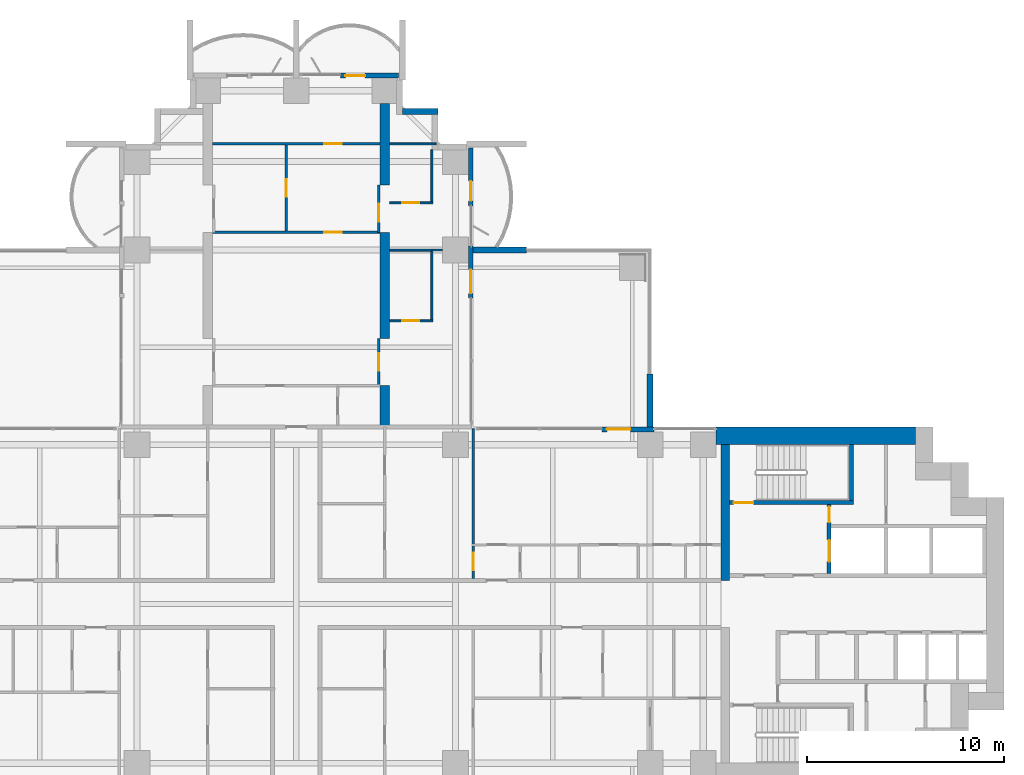
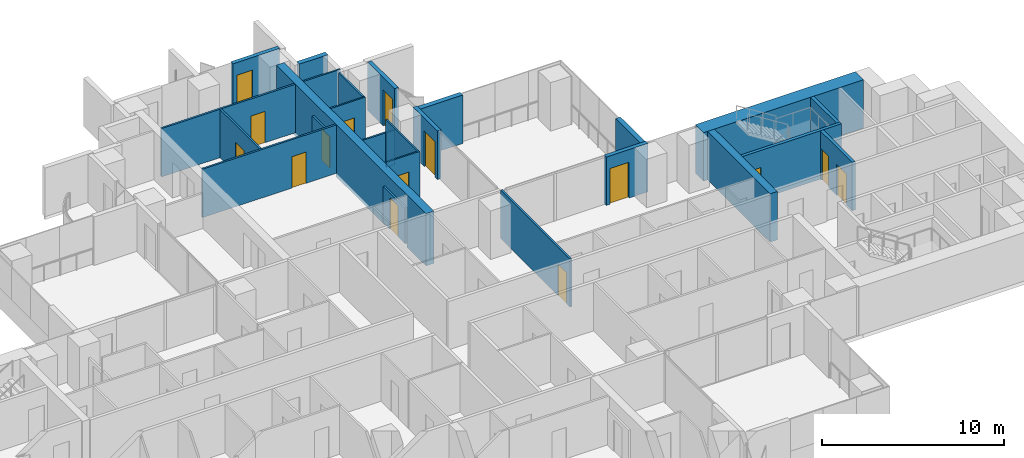
# One storey, part 15 of 21: 26 walls, 15 doors, 15 openings.
"""IFC4 building model written with IfcOpenShell, lengths in metres."""

from ifc_helpers import new_model, si_unit, direction, frame, frame_2d, origin, place, context, subcontext, project, spatial, polyline, rectangle, outline, extrude, material, layer, layer_set, material_profile, profile_set, type_object, element, fill, save


model = new_model("IFC4")

# Units and contexts
model_context = context("Model", 3, precision=1e-05, world=origin(), true_north=direction((0.0, 1.0)))
body_context = subcontext(model_context, "Body", "Model", "MODEL_VIEW")
ifc_project = project(units=[si_unit("LENGTHUNIT", "METRE"), si_unit("AREAUNIT", "SQUARE_METRE"), si_unit("VOLUMEUNIT", "CUBIC_METRE"), si_unit("PLANEANGLEUNIT", "RADIAN"), si_unit("MASSUNIT", "GRAM", prefix="KILO")], contexts=[model_context])

# Site, building, storey
site_placement = place(None, origin())
site = spatial("IfcSite", under=ifc_project, at=site_placement, CompositionType="ELEMENT")
building_placement = place(site_placement, origin())
building = spatial("IfcBuilding", under=site, at=building_placement, Name="Perihelion Cross Residences", CompositionType="ELEMENT")
storey_placement = place(building_placement, frame((0.0, 0.0, 40.0)))
storey = spatial("IfcBuildingStorey", under=building, at=storey_placement, Name="L06", CompositionType="ELEMENT", Elevation=40.0)

# Wall, opening, door
ifc_material_1 = material(Name="Concrete C30/37, bronze-clad", Category="concrete")
ifc_layer_1 = layer(ifc_material_1, 0.25)
ifc_layer_set_1 = layer_set([ifc_layer_1], Name="Bronze-clad pier wall 250")
wall_type_1 = type_object("IfcWallType", Name="Bronze-clad pier wall 250", PredefinedType="SOLIDWALL", material=ifc_layer_set_1)
wall_1_placement = place(storey_placement, frame((18.199951171875, 8.875, 0.0), z_axis=(0.0, 0.0, 1.0), x_axis=(-1.0, 0.0, 0.0)))
wall_1 = element("IfcWall", 1, at=wall_1_placement, inside=storey, type_object=wall_type_1, Name="Wall FW1 L06 east side north bay 2 pier", PredefinedType="SOLIDWALL", context=body_context, shape_type="SweptSolid", body=[
    extrude(rectangle(XDim=2.64990234375, YDim=0.25, at=frame_2d((1.324951171875, 0.0))), origin(), (0.0, 0.0, 1.0), 3.25),
])
opening_1_placement = place(wall_1_placement, frame((1.199951171875, 0.0, 0.0)))
opening_1 = element("IfcOpeningElement", 2, at=opening_1_placement, cuts=wall_1, Name="Opening L06.E01", PredefinedType="OPENING", context=body_context, shape_type="SweptSolid", body=[
    extrude(rectangle(XDim=1.199951171875, YDim=2.39990234375, at=frame_2d((0.60009765625, 1.199951171875))), frame((0.0, 0.135009765625, 0.0), z_axis=(0.0, -1.0, 0.0), x_axis=(1.0, 0.0, 0.0)), (0.0, 0.0, 1.0), 0.27001953125),
])
ifc_material_2 = material(Name="Bronze anodised aluminium, glazed", Category="aluminium")
door_type_1 = type_object("IfcDoorType", Name="Balcony door 1200 x 2400", OperationType="NOTDEFINED", PredefinedType="DOOR", material=ifc_material_2)
door_1_placement = place(opening_1_placement, origin())
door_1 = element("IfcDoor", 3, at=door_1_placement, inside=storey, type_object=door_type_1, Name="Door L06.E01 east side north bay 2", OperationType="SINGLE_SWING_RIGHT", OverallHeight=2.39990234375, OverallWidth=1.199951171875, PredefinedType="DOOR", context=body_context, shape_type="SweptSolid", body=[
    extrude(rectangle(XDim=1.199951171875, YDim=2.39990234375, at=frame_2d((0.60009765625, 1.199951171875))), frame((0.0, 0.02490234375, 0.0), z_axis=(0.0, -1.0, 0.0), x_axis=(1.0, 0.0, 0.0)), (0.0, 0.0, 1.0), 0.050048828125),
])
fill(opening_1, door_1)

wall_2_placement = place(storey_placement, frame((8.875, 15.550048828125, 0.0), z_axis=(0.0, 0.0, 1.0), x_axis=(0.0, 1.0, 0.0)))
wall_2 = element("IfcWall", 4, at=wall_2_placement, inside=storey, type_object=wall_type_1, Name="Wall FW1 L06 north side east bay 1 pier", PredefinedType="SOLIDWALL", context=body_context, shape_type="SweptSolid", body=[
    extrude(rectangle(XDim=2.64990234375, YDim=0.25, at=frame_2d((1.324951171875, 0.0))), origin(), (0.0, 0.0, 1.0), 3.25),
])
opening_2_placement = place(wall_2_placement, frame((0.25, 0.0, 0.0)))
opening_2 = element("IfcOpeningElement", 5, at=opening_2_placement, cuts=wall_2, Name="Opening L06.E02", PredefinedType="OPENING", context=body_context, shape_type="SweptSolid", body=[
    extrude(rectangle(XDim=1.199951171875, YDim=2.39990234375, at=frame_2d((0.60009765625, 1.199951171875))), frame((0.0, 0.135009765625, 0.0), z_axis=(0.0, -1.0, 0.0), x_axis=(1.0, 0.0, 0.0)), (0.0, 0.0, 1.0), 0.27001953125),
])
door_2_placement = place(opening_2_placement, origin())
door_2 = element("IfcDoor", 6, at=door_2_placement, inside=storey, type_object=door_type_1, Name="Door L06.E02 north side east bay 1", OperationType="SINGLE_SWING_LEFT", OverallHeight=2.39990234375, OverallWidth=1.199951171875, PredefinedType="DOOR", context=body_context, shape_type="SweptSolid", body=[
    extrude(rectangle(XDim=1.199951171875, YDim=2.39990234375, at=frame_2d((0.60009765625, 1.199951171875))), frame((0.0, 0.02490234375, 0.0), z_axis=(0.0, -1.0, 0.0), x_axis=(1.0, 0.0, 0.0)), (0.0, 0.0, 1.0), 0.050048828125),
])
fill(opening_2, door_2)

wall_3_placement = place(storey_placement, frame((8.875, 20.25, 0.0), z_axis=(0.0, 0.0, 1.0), x_axis=(0.0, 1.0, 0.0)))
wall_3 = element("IfcWall", 7, at=wall_3_placement, inside=storey, type_object=wall_type_1, Name="Wall FW1 L06 north side east bay 2 pier", PredefinedType="SOLIDWALL", context=body_context, shape_type="SweptSolid", body=[
    extrude(rectangle(XDim=2.949951171875, YDim=0.25, at=frame_2d((1.47509765625, 0.0))), origin(), (0.0, 0.0, 1.0), 3.25),
])
opening_3_placement = place(wall_3_placement, frame((0.25, 0.0, 0.0)))
opening_3 = element("IfcOpeningElement", 8, at=opening_3_placement, cuts=wall_3, Name="Opening L06.E03", PredefinedType="OPENING", context=body_context, shape_type="SweptSolid", body=[
    extrude(rectangle(XDim=1.0, YDim=2.39990234375, at=frame_2d((0.5, 1.199951171875))), frame((0.0, 0.135009765625, 0.0), z_axis=(0.0, -1.0, 0.0), x_axis=(1.0, 0.0, 0.0)), (0.0, 0.0, 1.0), 0.27001953125),
])
ifc_material_3 = material(Name="Bronze anodised aluminium, glazed", Category="aluminium")
door_type_2 = type_object("IfcDoorType", Name="Balcony door 1000 x 2400", OperationType="NOTDEFINED", PredefinedType="DOOR", material=ifc_material_3)
door_3_placement = place(opening_3_placement, origin())
door_3 = element("IfcDoor", 9, at=door_3_placement, inside=storey, type_object=door_type_2, Name="Door L06.E03 north side east bay 2", OperationType="SINGLE_SWING_RIGHT", OverallHeight=2.39990234375, OverallWidth=1.0, PredefinedType="DOOR", context=body_context, shape_type="SweptSolid", body=[
    extrude(rectangle(XDim=1.0, YDim=2.39990234375, at=frame_2d((0.5, 1.199951171875))), frame((0.0, 0.02490234375, 0.0), z_axis=(0.0, -1.0, 0.0), x_axis=(1.0, 0.0, 0.0)), (0.0, 0.0, 1.0), 0.050048828125),
])
fill(opening_3, door_3)

wall_4_placement = place(storey_placement, frame((5.199951171875, 26.875, 0.0), z_axis=(0.0, 0.0, 1.0), x_axis=(-1.0, 0.0, 0.0)))
wall_4 = element("IfcWall", 10, at=wall_4_placement, inside=storey, type_object=wall_type_1, Name="Wall FW1 L06 north tip north bay 1 pier", PredefinedType="SOLIDWALL", context=body_context, shape_type="SweptSolid", body=[
    extrude(rectangle(XDim=2.949951171875, YDim=0.25, at=frame_2d((1.47509765625, 0.0))), origin(), (0.0, 0.0, 1.0), 3.25),
])
opening_4_placement = place(wall_4_placement, frame((1.699951171875, 0.0, 0.0)))
opening_4 = element("IfcOpeningElement", 11, at=opening_4_placement, cuts=wall_4, Name="Opening L06.E04", PredefinedType="OPENING", context=body_context, shape_type="SweptSolid", body=[
    extrude(rectangle(XDim=1.0, YDim=2.39990234375, at=frame_2d((0.5, 1.199951171875))), frame((0.0, 0.135009765625, 0.0), z_axis=(0.0, -1.0, 0.0), x_axis=(1.0, 0.0, 0.0)), (0.0, 0.0, 1.0), 0.27001953125),
])
door_4_placement = place(opening_4_placement, origin())
door_4 = element("IfcDoor", 12, at=door_4_placement, inside=storey, type_object=door_type_2, Name="Door L06.E04 north tip north bay 1", OperationType="SINGLE_SWING_LEFT", OverallHeight=2.39990234375, OverallWidth=1.0, PredefinedType="DOOR", context=body_context, shape_type="SweptSolid", body=[
    extrude(rectangle(XDim=1.0, YDim=2.39990234375, at=frame_2d((0.5, 1.199951171875))), frame((0.0, 0.02490234375, 0.0), z_axis=(0.0, -1.0, 0.0), x_axis=(1.0, 0.0, 0.0)), (0.0, 0.0, 1.0), 0.050048828125),
])
fill(opening_4, door_4)

# Walls
ifc_material_4 = material(Name="Concrete C30/37, bronze-clad", Category="concrete")
ifc_layer_2 = layer(ifc_material_4, 0.300048828125)
ifc_layer_set_2 = layer_set([ifc_layer_2], Name="Bronze-clad serration wall 300")
wall_type_2 = type_object("IfcWallType", Name="Bronze-clad serration wall 300", PredefinedType="SOLIDWALL", material=ifc_layer_set_2)
wall_5_placement = place(storey_placement, frame((7.199951171875, 25.050048828125, 0.0), z_axis=(0.0, 0.0, 1.0), x_axis=(-1.0, 0.0, 0.0)))
element("IfcWall", 13, at=wall_5_placement, inside=storey, type_object=wall_type_2, Name="Wall SR1 L06 north corner north-east 3", PredefinedType="SOLIDWALL", context=body_context, shape_type="SweptSolid", body=[
    extrude(rectangle(XDim=1.800048828125, YDim=0.300048828125, at=frame_2d((0.89990234375, 0.0))), origin(), (0.0, 0.0, 1.0), 3.25),
])
ifc_material_5 = material(Name="Concrete C60/75", Category="concrete")
ifc_layer_3 = layer(ifc_material_5, 0.449951171875)
ifc_layer_set_3 = layer_set([ifc_layer_3], Name="Core wall, inner 450")
wall_type_3 = type_object("IfcWallType", Name="Core wall, inner 450", PredefinedType="SHEAR", material=ifc_layer_set_3)
wall_6_placement = place(storey_placement, frame((21.824951171875, 1.199951171875, 0.0), z_axis=(0.0, 0.0, 1.0), x_axis=(0.0, 1.0, 0.0)))
element("IfcWall", 14, at=wall_6_placement, inside=storey, type_object=wall_type_3, Name="East core core wall, inner", PredefinedType="SHEAR", context=body_context, shape_type="SweptSolid", body=[
    extrude(rectangle(XDim=6.900146484375, YDim=0.449951171875, at=frame_2d((3.4501953125, 0.0))), origin(), (0.0, 0.0, 1.0), 3.25),
])
ifc_material_6 = material(Name="Concrete C60/75", Category="concrete")
ifc_layer_4 = layer(ifc_material_6, 0.89990234375)
ifc_layer_set_4 = layer_set([ifc_layer_4], Name="Core wall, outer 900")
wall_type_4 = type_object("IfcWallType", Name="Core wall, outer 900", PredefinedType="SHEAR", material=ifc_layer_set_4)
wall_7_placement = place(storey_placement, frame((21.35009765625, 8.550048828125, 0.0), z_axis=(0.0, 0.0, 1.0), x_axis=(1.0, 0.0, 0.0)))
element("IfcWall", 15, at=wall_7_placement, inside=storey, type_object=wall_type_4, Name="East core core wall, outer", PredefinedType="SHEAR", context=body_context, shape_type="SweptSolid", body=[
    extrude(rectangle(XDim=10.14990234375, YDim=0.89990234375, at=frame_2d((5.074951171875, 0.0))), origin(), (0.0, 0.0, 1.0), 3.25),
])

# Wall, opening, door
ifc_material_7 = material(Name="Plasterboard partition")
ifc_layer_5 = layer(ifc_material_7, 0.1201171875)
ifc_layer_set_5 = layer_set([ifc_layer_5], Name="Infill panel 120")
wall_type_5 = type_object("IfcWallType", Name="Infill panel 120", PredefinedType="PARTITIONING", material=ifc_layer_set_5)
wall_8_placement = place(storey_placement, frame((4.18994140625, 11.10009765625, 0.0), z_axis=(0.0, 0.0, 1.0), x_axis=(0.0, 1.0, 0.0)))
wall_8 = element("IfcWall", 16, at=wall_8_placement, inside=storey, type_object=wall_type_5, Name="Partition L06 WI01", PredefinedType="PARTITIONING", context=body_context, shape_type="SweptSolid", body=[
    extrude(rectangle(XDim=2.39990234375, YDim=0.1201171875, at=frame_2d((1.199951171875, 0.0))), origin(), (0.0, 0.0, 1.0), 2.39990234375),
])
opening_5_placement = place(wall_8_placement, frame((0.75, 0.0, 0.0)))
opening_5 = element("IfcOpeningElement", 17, at=opening_5_placement, cuts=wall_8, Name="Opening L06.A54", PredefinedType="OPENING", context=body_context, shape_type="SweptSolid", body=[
    extrude(rectangle(XDim=0.89990234375, YDim=2.10009765625, at=frame_2d((0.449951171875, 1.050048828125))), frame((0.0, 0.070068359375, 0.0), z_axis=(0.0, -1.0, 0.0), x_axis=(1.0, 0.0, 0.0)), (0.0, 0.0, 1.0), 0.14013671875),
])
ifc_material_8 = material(Name="Timber door leaf", Category="wood")
door_type_3 = type_object("IfcDoorType", Name="Interior room door 900 x 2100", OperationType="SINGLE_SWING_LEFT", PredefinedType="DOOR", material=ifc_material_8)
door_5_placement = place(opening_5_placement, origin())
door_5 = element("IfcDoor", 18, at=door_5_placement, inside=storey, type_object=door_type_3, Name="Door L06.A54", OperationType="SINGLE_SWING_RIGHT", OverallHeight=2.10009765625, OverallWidth=0.89990234375, PredefinedType="DOOR", context=body_context, shape_type="SweptSolid", body=[
    extrude(rectangle(XDim=0.89990234375, YDim=2.10009765625, at=frame_2d((0.449951171875, 1.050048828125))), frame((0.0, 0.02490234375, 0.0), z_axis=(0.0, -1.0, 0.0), x_axis=(1.0, 0.0, 0.0)), (0.0, 0.0, 1.0), 0.050048828125),
])
fill(opening_5, door_5)

wall_9_placement = place(storey_placement, frame((4.18994140625, 18.89990234375, 0.0), z_axis=(0.0, 0.0, 1.0), x_axis=(0.0, 1.0, 0.0)))
wall_9 = element("IfcWall", 19, at=wall_9_placement, inside=storey, type_object=wall_type_5, Name="Partition L06 WI02", PredefinedType="PARTITIONING", context=body_context, shape_type="SweptSolid", body=[
    extrude(rectangle(XDim=2.400146484375, YDim=0.1201171875, at=frame_2d((1.2001953125, 0.0))), origin(), (0.0, 0.0, 1.0), 2.39990234375),
])
opening_6_placement = place(wall_9_placement, frame((0.550048828125, 0.0, 0.0)))
opening_6 = element("IfcOpeningElement", 20, at=opening_6_placement, cuts=wall_9, Name="Opening L06.A55", PredefinedType="OPENING", context=body_context, shape_type="SweptSolid", body=[
    extrude(rectangle(XDim=0.89990234375, YDim=2.10009765625, at=frame_2d((0.449951171875, 1.050048828125))), frame((0.0, 0.070068359375, 0.0), z_axis=(0.0, -1.0, 0.0), x_axis=(1.0, 0.0, 0.0)), (0.0, 0.0, 1.0), 0.14013671875),
])
door_6_placement = place(opening_6_placement, origin())
door_6 = element("IfcDoor", 21, at=door_6_placement, inside=storey, type_object=door_type_3, Name="Door L06.A55", OperationType="SINGLE_SWING_LEFT", OverallHeight=2.10009765625, OverallWidth=0.89990234375, PredefinedType="DOOR", context=body_context, shape_type="SweptSolid", body=[
    extrude(rectangle(XDim=0.89990234375, YDim=2.10009765625, at=frame_2d((0.449951171875, 1.050048828125))), frame((0.0, 0.02490234375, 0.0), z_axis=(0.0, -1.0, 0.0), x_axis=(1.0, 0.0, 0.0)), (0.0, 0.0, 1.0), 0.050048828125),
])
fill(opening_6, door_6)

ifc_material_9 = material(Name="Plasterboard partition")
ifc_layer_6 = layer(ifc_material_9, 0.1201171875)
ifc_layer_set_6 = layer_set([ifc_layer_6], Name="Partition wall 120")
wall_type_6 = type_object("IfcWallType", Name="Partition wall 120", PredefinedType="PARTITIONING", material=ifc_layer_set_6)
wall_10_placement = place(storey_placement, frame((9.0, 1.300048828125, 0.0), z_axis=(0.0, 0.0, 1.0), x_axis=(0.0, 1.0, 0.0)))
wall_10 = element("IfcWall", 22, at=wall_10_placement, inside=storey, type_object=wall_type_6, Name="Partition L06 W013", PredefinedType="PARTITIONING", context=body_context, shape_type="SweptSolid", body=[
    extrude(rectangle(XDim=7.619873046875, YDim=0.1201171875, at=frame_2d((3.81005859375, 0.0))), origin(), (0.0, 0.0, 1.0), 3.25),
])
opening_7_placement = place(wall_10_placement, frame((0.39990234375, 0.0, 0.0)))
opening_7 = element("IfcOpeningElement", 23, at=opening_7_placement, cuts=wall_10, Name="Opening L06.A04", PredefinedType="OPENING", context=body_context, shape_type="SweptSolid", body=[
    extrude(rectangle(XDim=0.89990234375, YDim=2.10009765625, at=frame_2d((0.449951171875, 1.050048828125))), frame((0.0, 0.070068359375, 0.0), z_axis=(0.0, -1.0, 0.0), x_axis=(1.0, 0.0, 0.0)), (0.0, 0.0, 1.0), 0.14013671875),
])
door_7_placement = place(opening_7_placement, origin())
door_7 = element("IfcDoor", 24, at=door_7_placement, inside=storey, type_object=door_type_3, Name="Door L06.A04", OperationType="SINGLE_SWING_RIGHT", OverallHeight=2.10009765625, OverallWidth=0.89990234375, PredefinedType="DOOR", context=body_context, shape_type="SweptSolid", body=[
    extrude(rectangle(XDim=0.89990234375, YDim=2.10009765625, at=frame_2d((0.449951171875, 1.050048828125))), frame((0.0, 0.02490234375, 0.0), z_axis=(0.0, -1.0, 0.0), x_axis=(1.0, 0.0, 0.0)), (0.0, 0.0, 1.0), 0.050048828125),
])
fill(opening_7, door_7)

wall_11_placement = place(storey_placement, frame((-4.25, 18.89990234375, 0.0), z_axis=(0.0, 0.0, 1.0), x_axis=(1.0, 0.0, 0.0)))
wall_11 = element("IfcWall", 25, at=wall_11_placement, inside=storey, type_object=wall_type_6, Name="Partition L06 W060", PredefinedType="PARTITIONING", context=body_context, shape_type="SweptSolid", body=[
    extrude(rectangle(XDim=8.5, YDim=0.1201171875, at=frame_2d((4.25, 0.0))), origin(), (0.0, 0.0, 1.0), 3.25),
])
opening_8_placement = place(wall_11_placement, frame((5.675048828125, 0.0, 0.0)))
opening_8 = element("IfcOpeningElement", 26, at=opening_8_placement, cuts=wall_11, Name="Opening L06.A37", PredefinedType="OPENING", context=body_context, shape_type="SweptSolid", body=[
    extrude(rectangle(XDim=0.89990234375, YDim=2.10009765625, at=frame_2d((0.449951171875, 1.050048828125))), frame((0.0, 0.070068359375, 0.0), z_axis=(0.0, -1.0, 0.0), x_axis=(1.0, 0.0, 0.0)), (0.0, 0.0, 1.0), 0.14013671875),
])
door_8_placement = place(opening_8_placement, origin())
door_8 = element("IfcDoor", 27, at=door_8_placement, inside=storey, type_object=door_type_3, Name="Door L06.A37", OperationType="SINGLE_SWING_RIGHT", OverallHeight=2.10009765625, OverallWidth=0.89990234375, PredefinedType="DOOR", context=body_context, shape_type="SweptSolid", body=[
    extrude(rectangle(XDim=0.89990234375, YDim=2.10009765625, at=frame_2d((0.449951171875, 1.050048828125))), frame((0.0, 0.02490234375, 0.0), z_axis=(0.0, -1.0, 0.0), x_axis=(1.0, 0.0, 0.0)), (0.0, 0.0, 1.0), 0.050048828125),
])
fill(opening_8, door_8)

wall_12_placement = place(storey_placement, frame((-0.5, 18.9599609375, 0.0), z_axis=(0.0, 0.0, 1.0), x_axis=(0.0, 1.0, 0.0)))
wall_12 = element("IfcWall", 28, at=wall_12_placement, inside=storey, type_object=wall_type_6, Name="Partition L06 W061", PredefinedType="PARTITIONING", context=body_context, shape_type="SweptSolid", body=[
    extrude(rectangle(XDim=4.380126953125, YDim=0.1201171875, at=frame_2d((2.18994140625, 0.0))), origin(), (0.0, 0.0, 1.0), 3.25),
])
opening_9_placement = place(wall_12_placement, frame((1.739990234375, 0.0, 0.0)))
opening_9 = element("IfcOpeningElement", 29, at=opening_9_placement, cuts=wall_12, Name="Opening L06.A38", PredefinedType="OPENING", context=body_context, shape_type="SweptSolid", body=[
    extrude(rectangle(XDim=0.89990234375, YDim=2.10009765625, at=frame_2d((0.449951171875, 1.050048828125))), frame((0.0, 0.070068359375, 0.0), z_axis=(0.0, -1.0, 0.0), x_axis=(1.0, 0.0, 0.0)), (0.0, 0.0, 1.0), 0.14013671875),
])
door_9_placement = place(opening_9_placement, origin())
door_9 = element("IfcDoor", 30, at=door_9_placement, inside=storey, type_object=door_type_3, Name="Door L06.A38", OperationType="SINGLE_SWING_RIGHT", OverallHeight=2.10009765625, OverallWidth=0.89990234375, PredefinedType="DOOR", context=body_context, shape_type="SweptSolid", body=[
    extrude(rectangle(XDim=0.89990234375, YDim=2.10009765625, at=frame_2d((0.449951171875, 1.050048828125))), frame((0.0, 0.02490234375, 0.0), z_axis=(0.0, -1.0, 0.0), x_axis=(1.0, 0.0, 0.0)), (0.0, 0.0, 1.0), 0.050048828125),
])
fill(opening_9, door_9)

wall_13_placement = place(storey_placement, frame((-4.25, 23.39990234375, 0.0), z_axis=(0.0, 0.0, 1.0), x_axis=(1.0, 0.0, 0.0)))
wall_13 = element("IfcWall", 31, at=wall_13_placement, inside=storey, type_object=wall_type_6, Name="Partition L06 W062", PredefinedType="PARTITIONING", context=body_context, shape_type="SweptSolid", body=[
    extrude(rectangle(XDim=8.5, YDim=0.1201171875, at=frame_2d((4.25, 0.0))), origin(), (0.0, 0.0, 1.0), 3.25),
])
opening_10_placement = place(wall_13_placement, frame((5.675048828125, 0.0, 0.0)))
opening_10 = element("IfcOpeningElement", 32, at=opening_10_placement, cuts=wall_13, Name="Opening L06.A39", PredefinedType="OPENING", context=body_context, shape_type="SweptSolid", body=[
    extrude(rectangle(XDim=0.89990234375, YDim=2.10009765625, at=frame_2d((0.449951171875, 1.050048828125))), frame((0.0, 0.070068359375, 0.0), z_axis=(0.0, -1.0, 0.0), x_axis=(1.0, 0.0, 0.0)), (0.0, 0.0, 1.0), 0.14013671875),
])
door_10_placement = place(opening_10_placement, origin())
door_10 = element("IfcDoor", 33, at=door_10_placement, inside=storey, type_object=door_type_3, Name="Door L06.A39", OperationType="SINGLE_SWING_LEFT", OverallHeight=2.10009765625, OverallWidth=0.89990234375, PredefinedType="DOOR", context=body_context, shape_type="SweptSolid", body=[
    extrude(rectangle(XDim=0.89990234375, YDim=2.10009765625, at=frame_2d((0.449951171875, 1.050048828125))), frame((0.0, 0.02490234375, 0.0), z_axis=(0.0, -1.0, 0.0), x_axis=(1.0, 0.0, 0.0)), (0.0, 0.0, 1.0), 0.050048828125),
])
fill(opening_10, door_10)

# Walls
wall_14_placement = place(storey_placement, frame((6.89990234375, 18.0, 0.0), z_axis=(0.0, 0.0, 1.0), x_axis=(1.0, 0.0, 0.0)))
element("IfcWall", 34, at=wall_14_placement, inside=storey, type_object=wall_type_6, Name="Partition L06 W065", PredefinedType="PARTITIONING", context=body_context, shape_type="SweptSolid", body=[
    extrude(rectangle(XDim=0.550048828125, YDim=0.1201171875, at=frame_2d((0.27490234375, 0.0))), origin(), (0.0, 0.0, 1.0), 2.345947265625),
])
ifc_material_10 = material(Name="Precast concrete C50/60", Category="concrete")
ifc_layer_7 = layer(ifc_material_10, 0.300048828125)
ifc_layer_set_7 = layer_set([ifc_layer_7], Name="Precast concrete C50/60 blade wall 300")
wall_type_7 = type_object("IfcWallType", Name="Precast concrete C50/60 blade wall 300", PredefinedType="SOLIDWALL", material=ifc_layer_set_7)
for number, where, z_axis, x_axis, name in (
    (35, (8.75, 18.0, 0.0), (0.0, 0.0, 1.0), (1.0, 0.0, 0.0), "Wall BL1 L06 no. 17"),
    (36, (18.0, 8.75, 0.0), (0.0, 0.0, 1.0), (0.0, 1.0, 0.0), "Wall BL1 L06 no. 12"),
):
    element("IfcWall", number, at=place(storey_placement, frame(where, z_axis=z_axis, x_axis=x_axis)), inside=storey, type_object=wall_type_7, Name=name, PredefinedType="SOLIDWALL", context=body_context, shape_type="SweptSolid", body=[
        extrude(rectangle(XDim=2.949951171875, YDim=0.300048828125, at=frame_2d((1.47509765625, 0.0))), origin(), (0.0, 0.0, 1.0), 3.25),
    ])

# Wall, openings, doors
ifc_material_11 = material(Name="Concrete C50/60", Category="concrete")
ifc_layer_8 = layer(ifc_material_11, 0.199951171875)
ifc_layer_set_8 = layer_set([ifc_layer_8], Name="Shaft wall 200")
wall_type_8 = type_object("IfcWallType", Name="Shaft wall 200", PredefinedType="SOLIDWALL", material=ifc_layer_set_8)
wall_15_placement = place(storey_placement, frame((27.10009765625, 1.550048828125, 0.0), z_axis=(0.0, 0.0, 1.0), x_axis=(0.0, 1.0, 0.0)))
wall_15 = element("IfcWall", 37, at=wall_15_placement, inside=storey, type_object=wall_type_8, Name="East core shaft wall", PredefinedType="SOLIDWALL", context=body_context, shape_type="SweptSolid", body=[
    extrude(rectangle(XDim=3.5, YDim=0.199951171875, at=frame_2d((1.75, 0.0))), origin(), (0.0, 0.0, 1.0), 3.25),
])
opening_11_placement = place(wall_15_placement, frame((0.60009765625, 0.0, 0.0)))
opening_11 = element("IfcOpeningElement", 38, at=opening_11_placement, cuts=wall_15, Name="Opening L06.C01", PredefinedType="OPENING", context=body_context, shape_type="SweptSolid", body=[
    extrude(rectangle(XDim=1.10009765625, YDim=2.10009765625, at=frame_2d((0.550048828125, 1.050048828125))), frame((0.0, 0.10986328125, 0.0), z_axis=(0.0, -1.0, 0.0), x_axis=(1.0, 0.0, 0.0)), (0.0, 0.0, 1.0), 0.219970703125),
])
opening_12_placement = place(wall_15_placement, frame((2.60009765625, 0.0, 0.0)))
opening_12 = element("IfcOpeningElement", 39, at=opening_12_placement, cuts=wall_15, Name="Opening L06.C11", PredefinedType="OPENING", context=body_context, shape_type="SweptSolid", body=[
    extrude(rectangle(XDim=0.800048828125, YDim=2.10009765625, at=frame_2d((0.39990234375, 1.050048828125))), frame((0.0, 0.10986328125, 0.0), z_axis=(0.0, -1.0, 0.0), x_axis=(1.0, 0.0, 0.0)), (0.0, 0.0, 1.0), 0.219970703125),
])
ifc_material_12 = material(Name="Stainless steel", Category="steel")
door_type_4 = type_object("IfcDoorType", Name="Landing door, firefighting lift 1100", OperationType="DOUBLE_DOOR_SLIDING", PredefinedType="DOOR", material=ifc_material_12)
door_11_placement = place(opening_11_placement, origin())
door_11 = element("IfcDoor", 40, at=door_11_placement, inside=storey, type_object=door_type_4, Name="Landing door, East core firefighting and service lift", OperationType="DOUBLE_DOOR_SLIDING", OverallHeight=2.10009765625, OverallWidth=1.10009765625, PredefinedType="DOOR", context=body_context, shape_type="SweptSolid", body=[
    extrude(rectangle(XDim=1.10009765625, YDim=2.10009765625, at=frame_2d((0.550048828125, 1.050048828125))), frame((0.0, 0.02490234375, 0.0), z_axis=(0.0, -1.0, 0.0), x_axis=(1.0, 0.0, 0.0)), (0.0, 0.0, 1.0), 0.050048828125),
])
fill(opening_11, door_11)
ifc_material_13 = material(Name="Steel, powder coated", Category="steel")
door_type_5 = type_object("IfcDoorType", Name="Riser door 800", OperationType="SINGLE_SWING_LEFT", PredefinedType="DOOR", material=ifc_material_13)
door_12_placement = place(opening_12_placement, origin())
door_12 = element("IfcDoor", 41, at=door_12_placement, inside=storey, type_object=door_type_5, Name="East core riser door", OperationType="SINGLE_SWING_LEFT", OverallHeight=2.10009765625, OverallWidth=0.800048828125, PredefinedType="DOOR", context=body_context, shape_type="SweptSolid", body=[
    extrude(rectangle(XDim=0.800048828125, YDim=2.10009765625, at=frame_2d((0.39990234375, 1.050048828125))), frame((0.0, 0.02490234375, 0.0), z_axis=(0.0, -1.0, 0.0), x_axis=(1.0, 0.0, 0.0)), (0.0, 0.0, 1.0), 0.050048828125),
])
fill(opening_12, door_12)

# Wall, opening, door
ifc_material_14 = material(Name="Concrete C50/60", Category="concrete")
ifc_layer_9 = layer(ifc_material_14, 0.199951171875)
ifc_layer_set_9 = layer_set([ifc_layer_9], Name="Stair wall 200")
wall_type_9 = type_object("IfcWallType", Name="Stair wall 200", PredefinedType="SOLIDWALL", material=ifc_layer_set_9)
wall_16_placement = place(storey_placement, frame((22.050048828125, 5.14990234375, 0.0), z_axis=(0.0, 0.0, 1.0), x_axis=(1.0, 0.0, 0.0)))
wall_16 = element("IfcWall", 42, at=wall_16_placement, inside=storey, type_object=wall_type_9, Name="East core stair wall", PredefinedType="SOLIDWALL", context=body_context, shape_type="SweptSolid", body=[
    extrude(rectangle(XDim=6.300048828125, YDim=0.199951171875, at=frame_2d((3.14990234375, 0.0))), origin(), (0.0, 0.0, 1.0), 3.25),
])
opening_13_placement = place(wall_16_placement, frame((0.199951171875, 0.0, 0.0)))
opening_13 = element("IfcOpeningElement", 43, at=opening_13_placement, cuts=wall_16, Name="Opening L06.C06", PredefinedType="OPENING", context=body_context, shape_type="SweptSolid", body=[
    extrude(rectangle(XDim=1.0, YDim=2.10009765625, at=frame_2d((0.5, 1.050048828125))), frame((0.0, 0.10986328125, 0.0), z_axis=(0.0, -1.0, 0.0), x_axis=(1.0, 0.0, 0.0)), (0.0, 0.0, 1.0), 0.219970703125),
])
ifc_material_15 = material(Name="Steel, powder coated", Category="steel")
door_type_6 = type_object("IfcDoorType", Name="Stair door 1000", OperationType="SINGLE_SWING_LEFT", PredefinedType="DOOR", material=ifc_material_15)
door_13_placement = place(opening_13_placement, origin())
door_13 = element("IfcDoor", 44, at=door_13_placement, inside=storey, type_object=door_type_6, Name="East core stair door", OperationType="SINGLE_SWING_LEFT", OverallHeight=2.10009765625, OverallWidth=1.0, PredefinedType="DOOR", context=body_context, shape_type="SweptSolid", body=[
    extrude(rectangle(XDim=1.0, YDim=2.10009765625, at=frame_2d((0.5, 1.050048828125))), frame((0.0, 0.02490234375, 0.0), z_axis=(0.0, -1.0, 0.0), x_axis=(1.0, 0.0, 0.0)), (0.0, 0.0, 1.0), 0.050048828125),
])
fill(opening_13, door_13)

# Walls
wall_17_placement = place(storey_placement, frame((28.25, 5.25, 0.0), z_axis=(0.0, 0.0, 1.0), x_axis=(0.0, 1.0, 0.0)))
element("IfcWall", 45, at=wall_17_placement, inside=storey, type_object=wall_type_9, Name="East core stair wall", PredefinedType="SOLIDWALL", context=body_context, shape_type="SweptSolid", body=[
    extrude(rectangle(XDim=2.85009765625, YDim=0.199951171875, at=frame_2d((1.425048828125, 0.0))), origin(), (0.0, 0.0, 1.0), 3.25),
])
ifc_material_16 = material(Name="Concrete C60/75", Category="concrete")
ifc_material_profile = material_profile(ifc_material_16, outline(polyline([(0.0, 0.0), (2.10009765625, 0.0), (2.10009765625, 2.64990234375), (4.5, 2.64990234375), (4.5, 0.0), (9.89990234375, 0.0), (9.89990234375, 2.64990234375), (12.300048828125, 2.64990234375), (12.300048828125, 0.0), (16.449951171875, 0.0), (16.449951171875, 3.5), (0.0, 3.5), (0.0, 0.0)])), Name="Tip spine wall")
ifc_profile_set = profile_set([ifc_material_profile], Name="Concrete C60/75")
wall_type_10 = type_object("IfcWallType", Name="Tip spine wall 500 with 2 door openings 16450 long 3500 high concrete C60/75 hand B", PredefinedType="SHEAR", material=ifc_profile_set)
wall_18_placement = place(storey_placement, frame((4.25, 9.0, -0.25), z_axis=(1.0, 0.0, 0.0), x_axis=(0.0, 1.0, 0.0)))
element("IfcWall", 46, at=wall_18_placement, inside=storey, type_object=wall_type_10, Name="Shear wall SW23 L06 north east", PredefinedType="SHEAR", context=body_context, shape_type="SweptSolid", body=[
    extrude(outline(polyline([(0.0, 0.0), (2.10009765625, 0.0), (2.10009765625, 2.64990234375), (4.5, 2.64990234375), (4.5, 0.0), (9.89990234375, 0.0), (9.89990234375, 2.64990234375), (12.300048828125, 2.64990234375), (12.300048828125, 0.0), (16.449951171875, 0.0), (16.449951171875, 3.5), (0.0, 3.5), (0.0, 0.0)])), origin(), (0.0, 0.0, 1.0), 0.5),
])

# Wall, opening, door
ifc_material_17 = material(Name="Plasterboard partition")
ifc_layer_10 = layer(ifc_material_17, 0.10009765625)
ifc_layer_set_10 = layer_set([ifc_layer_10], Name="Wet room wall 100")
wall_type_11 = type_object("IfcWallType", Name="Wet room wall 100", PredefinedType="PARTITIONING", material=ifc_layer_set_10)
wall_19_placement = place(storey_placement, frame((4.75, 14.39990234375, 0.0), z_axis=(0.0, 0.0, 1.0), x_axis=(1.0, 0.0, 0.0)))
wall_19 = element("IfcWall", 47, at=wall_19_placement, inside=storey, type_object=wall_type_11, Name="Partition L06 W063", PredefinedType="PARTITIONING", context=body_context, shape_type="SweptSolid", body=[
    extrude(rectangle(XDim=2.199951171875, YDim=0.10009765625, at=frame_2d((1.10009765625, 0.0))), origin(), (0.0, 0.0, 1.0), 3.25),
])
opening_14_placement = place(wall_19_placement, frame((0.64990234375, 0.0, 0.0)))
opening_14 = element("IfcOpeningElement", 48, at=opening_14_placement, cuts=wall_19, Name="Opening L06.A40", PredefinedType="OPENING", context=body_context, shape_type="SweptSolid", body=[
    extrude(rectangle(XDim=0.85009765625, YDim=2.10009765625, at=frame_2d((0.425048828125, 1.050048828125))), frame((0.0, 0.06005859375, 0.0), z_axis=(0.0, -1.0, 0.0), x_axis=(1.0, 0.0, 0.0)), (0.0, 0.0, 1.0), 0.1201171875),
])
ifc_material_18 = material(Name="Timber door leaf", Category="wood")
door_type_7 = type_object("IfcDoorType", Name="Interior bathroom door 850 x 2100", OperationType="SINGLE_SWING_LEFT", PredefinedType="DOOR", material=ifc_material_18)
door_14_placement = place(opening_14_placement, origin())
door_14 = element("IfcDoor", 49, at=door_14_placement, inside=storey, type_object=door_type_7, Name="Door L06.A40", OperationType="SINGLE_SWING_RIGHT", OverallHeight=2.10009765625, OverallWidth=0.85009765625, PredefinedType="DOOR", context=body_context, shape_type="SweptSolid", body=[
    extrude(rectangle(XDim=0.85009765625, YDim=2.10009765625, at=frame_2d((0.425048828125, 1.050048828125))), frame((0.0, 0.02490234375, 0.0), z_axis=(0.0, -1.0, 0.0), x_axis=(1.0, 0.0, 0.0)), (0.0, 0.0, 1.0), 0.050048828125),
])
fill(opening_14, door_14)

# Walls
wall_20_placement = place(storey_placement, frame((6.89990234375, 14.449951171875, 0.0), z_axis=(0.0, 0.0, 1.0), x_axis=(0.0, 1.0, 0.0)))
element("IfcWall", 50, at=wall_20_placement, inside=storey, type_object=wall_type_11, Name="Partition L06 W064", PredefinedType="PARTITIONING", context=body_context, shape_type="SweptSolid", body=[
    extrude(rectangle(XDim=3.489990234375, YDim=0.10009765625, at=frame_2d((1.7451171875, 0.0))), origin(), (0.0, 0.0, 1.0), 3.25),
])
wall_21_placement = place(storey_placement, frame((4.75, 18.0, 0.0), z_axis=(0.0, 0.0, 1.0), x_axis=(1.0, 0.0, 0.0)))
element("IfcWall", 51, at=wall_21_placement, inside=storey, type_object=wall_type_11, Name="Partition L06 W066", PredefinedType="PARTITIONING", context=body_context, shape_type="SweptSolid", body=[
    extrude(rectangle(XDim=2.14990234375, YDim=0.10009765625, at=frame_2d((1.074951171875, 0.0))), origin(), (0.0, 0.0, 1.0), 2.345947265625),
])

# Wall, opening, door
wall_22_placement = place(storey_placement, frame((4.75, 20.39990234375, 0.0), z_axis=(0.0, 0.0, 1.0), x_axis=(1.0, 0.0, 0.0)))
wall_22 = element("IfcWall", 52, at=wall_22_placement, inside=storey, type_object=wall_type_11, Name="Partition L06 W067", PredefinedType="PARTITIONING", context=body_context, shape_type="SweptSolid", body=[
    extrude(rectangle(XDim=2.199951171875, YDim=0.10009765625, at=frame_2d((1.10009765625, 0.0))), origin(), (0.0, 0.0, 1.0), 3.25),
])
opening_15_placement = place(wall_22_placement, frame((0.64990234375, 0.0, 0.0)))
opening_15 = element("IfcOpeningElement", 53, at=opening_15_placement, cuts=wall_22, Name="Opening L06.A41", PredefinedType="OPENING", context=body_context, shape_type="SweptSolid", body=[
    extrude(rectangle(XDim=0.85009765625, YDim=2.10009765625, at=frame_2d((0.425048828125, 1.050048828125))), frame((0.0, 0.06005859375, 0.0), z_axis=(0.0, -1.0, 0.0), x_axis=(1.0, 0.0, 0.0)), (0.0, 0.0, 1.0), 0.1201171875),
])
door_15_placement = place(opening_15_placement, origin())
door_15 = element("IfcDoor", 54, at=door_15_placement, inside=storey, type_object=door_type_7, Name="Door L06.A41", OperationType="SINGLE_SWING_LEFT", OverallHeight=2.10009765625, OverallWidth=0.85009765625, PredefinedType="DOOR", context=body_context, shape_type="SweptSolid", body=[
    extrude(rectangle(XDim=0.85009765625, YDim=2.10009765625, at=frame_2d((0.425048828125, 1.050048828125))), frame((0.0, 0.02490234375, 0.0), z_axis=(0.0, -1.0, 0.0), x_axis=(1.0, 0.0, 0.0)), (0.0, 0.0, 1.0), 0.050048828125),
])
fill(opening_15, door_15)

# Walls
wall_23_placement = place(storey_placement, frame((6.89990234375, 20.449951171875, 0.0), z_axis=(0.0, 0.0, 1.0), x_axis=(0.0, 1.0, 0.0)))
element("IfcWall", 55, at=wall_23_placement, inside=storey, type_object=wall_type_11, Name="Partition L06 W068", PredefinedType="PARTITIONING", context=body_context, shape_type="SweptSolid", body=[
    extrude(rectangle(XDim=2.650146484375, YDim=0.10009765625, at=frame_2d((1.3251953125, 0.0))), origin(), (0.0, 0.0, 1.0), 3.25),
])
wall_24_placement = place(storey_placement, frame((4.75, 23.39990234375, 0.0), z_axis=(0.0, 0.0, 1.0), x_axis=(1.0, 0.0, 0.0)))
element("IfcWall", 56, at=wall_24_placement, inside=storey, type_object=wall_type_11, Name="Partition L06 W069", PredefinedType="PARTITIONING", context=body_context, shape_type="SweptSolid", body=[
    extrude(rectangle(XDim=2.3701171875, YDim=0.10009765625, at=frame_2d((1.18505859375, 0.0))), origin(), (0.0, 0.0, 1.0), 3.25),
])

save(model, "model.ifc")
